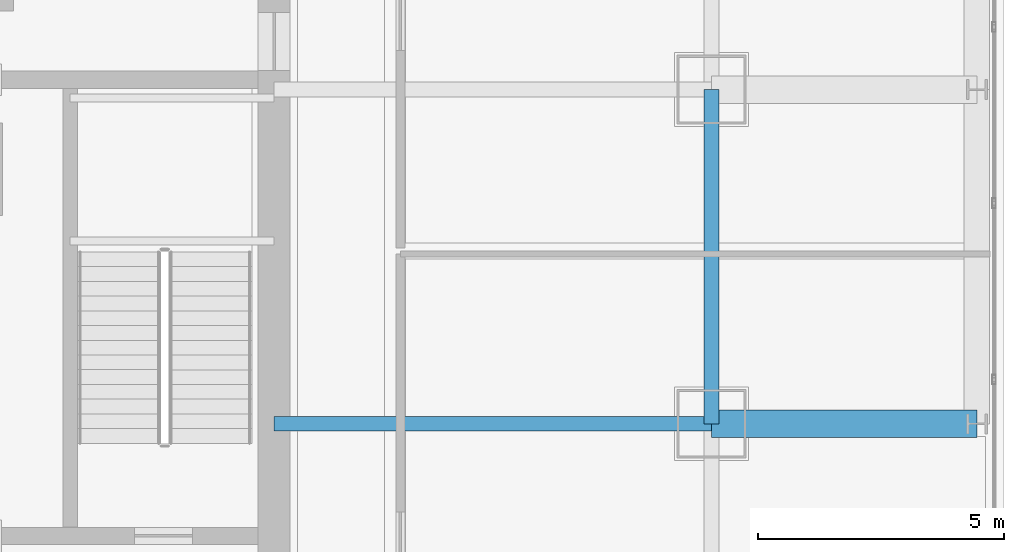
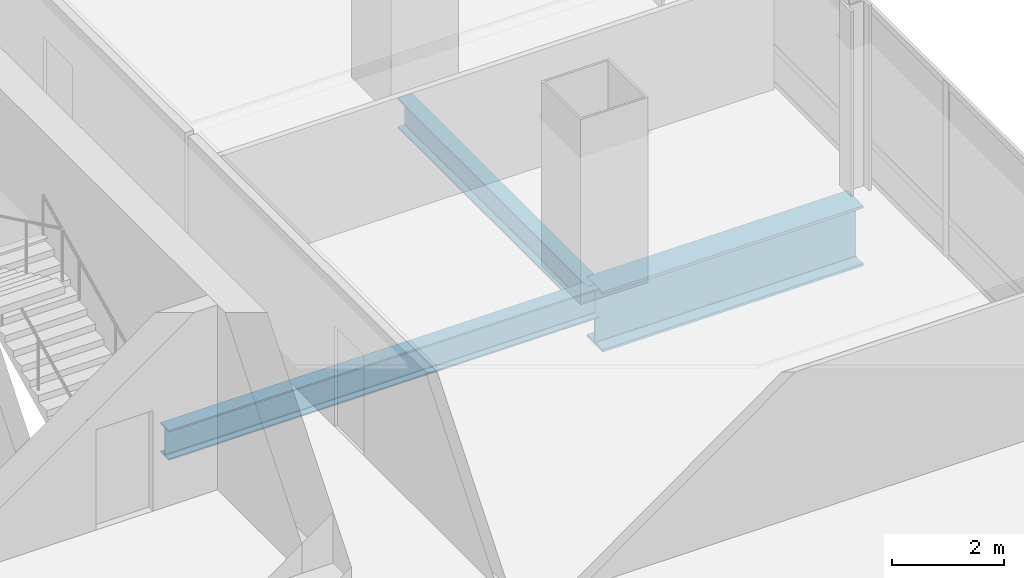
# One storey, part 17 of 36: 3 beams.
"""IFC4 building model written with IfcOpenShell, lengths in metres."""

from ifc_helpers import new_model, si_unit, direction, frame, origin, origin_2d, place, context, subcontext, project, spatial, i_section, extrude, material, material_profile, profile_set, type_object, element, save


model = new_model("IFC4")

# Units and contexts
model_context = context("Model", 3, precision=1e-05, world=origin(), true_north=direction((0.0, 1.0)))
body_context = subcontext(model_context, "Body", "Model", "MODEL_VIEW")
ifc_project = project(units=[si_unit("LENGTHUNIT", "METRE"), si_unit("AREAUNIT", "SQUARE_METRE"), si_unit("VOLUMEUNIT", "CUBIC_METRE"), si_unit("PLANEANGLEUNIT", "RADIAN"), si_unit("MASSUNIT", "GRAM", prefix="KILO")], contexts=[model_context])

# Site, building, storey
site_placement = place(None, origin())
site = spatial("IfcSite", under=ifc_project, at=site_placement, CompositionType="ELEMENT")
building_placement = place(site_placement, origin())
building = spatial("IfcBuilding", under=site, at=building_placement, Name="Punatoya Terracotta Tower", CompositionType="ELEMENT")
storey_placement = place(building_placement, frame((0.0, 0.0, 228.89990234375)))
storey = spatial("IfcBuildingStorey", under=building, at=storey_placement, Name="L54", CompositionType="ELEMENT", Elevation=228.89990234375)

# Beams
ifc_material_1 = material(Name="Steel S355", Category="steel")
ifc_material_profile_1 = material_profile(ifc_material_1, i_section(OverallWidth=0.300048828125, OverallDepth=0.64990234375, WebThickness=0.01611328125, FlangeThickness=0.031005859375, FilletRadius=0.01806640625, at=origin_2d()))
ifc_profile_set_1 = profile_set([ifc_material_profile_1], Name="Steel S355")
beam_type_1 = type_object("IfcBeamType", Name="BM-PRI-650", PredefinedType="BEAM", material=ifc_profile_set_1)
beam_1_placement = place(storey_placement, frame((19.10009765625, -3.39990234375, -0.544921875), z_axis=(0.0, 1.0, 0.0), x_axis=(-1.0, 0.0, 0.0)))
element("IfcBeam", 1, at=beam_1_placement, inside=storey, type_object=beam_type_1, Name="BM-L54-RG-E2", PredefinedType="BEAM", context=body_context, shape_type="SweptSolid", body=[
    extrude(i_section(OverallWidth=0.300048828125, OverallDepth=0.64990234375, WebThickness=0.01611328125, FlangeThickness=0.031005859375, FilletRadius=0.01806640625, at=origin_2d()), origin(), (0.0, 0.0, 1.0), 6.7998046875),
])
beam_2_placement = place(storey_placement, frame((10.199951171875, -3.39990234375, -0.544921875), z_axis=(1.0, 0.0, 0.0), x_axis=(0.0, 1.0, 0.0)))
element("IfcBeam", 2, at=beam_2_placement, inside=storey, type_object=beam_type_1, Name="BM-L54-PR-ED", PredefinedType="BEAM", context=body_context, shape_type="SweptSolid", body=[
    extrude(i_section(OverallWidth=0.300048828125, OverallDepth=0.64990234375, WebThickness=0.01611328125, FlangeThickness=0.031005859375, FilletRadius=0.01806640625, at=origin_2d()), origin(), (0.0, 0.0, 1.0), 8.900146484375),
])
ifc_material_2 = material(Name="Steel S460", Category="steel")
ifc_material_profile_2 = material_profile(ifc_material_2, i_section(OverallWidth=0.56005859375, OverallDepth=1.320068359375, WebThickness=0.035888671875, FlangeThickness=0.054931640625, FilletRadius=0.01806640625, at=origin_2d()))
ifc_profile_set_2 = profile_set([ifc_material_profile_2], Name="Steel S460")
beam_type_2 = type_object("IfcBeamType", Name="BM-TG-BLK", PredefinedType="BEAM", material=ifc_profile_set_2)
beam_3_placement = place(storey_placement, frame((19.10009765625, -3.39990234375, -0.8798828125), z_axis=(1.0, 0.0, 0.0), x_axis=(0.0, 1.0, 0.0)))
element("IfcBeam", 3, at=beam_3_placement, inside=storey, type_object=beam_type_2, Name="BM-L54-CANT-E2", PredefinedType="BEAM", context=body_context, shape_type="SweptSolid", body=[
    extrude(i_section(OverallWidth=0.56005859375, OverallDepth=1.320068359375, WebThickness=0.035888671875, FlangeThickness=0.054931640625, FilletRadius=0.01806640625, at=origin_2d()), origin(), (0.0, 0.0, 1.0), 5.39990234375),
])

save(model, "model.ifc")
